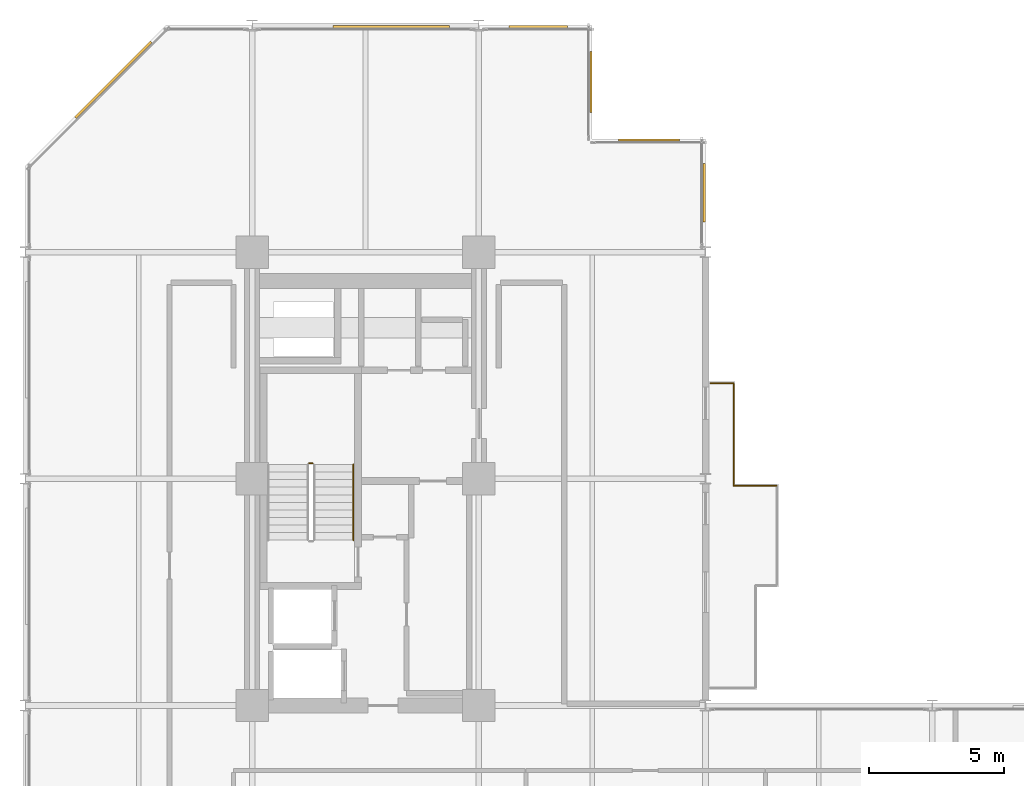
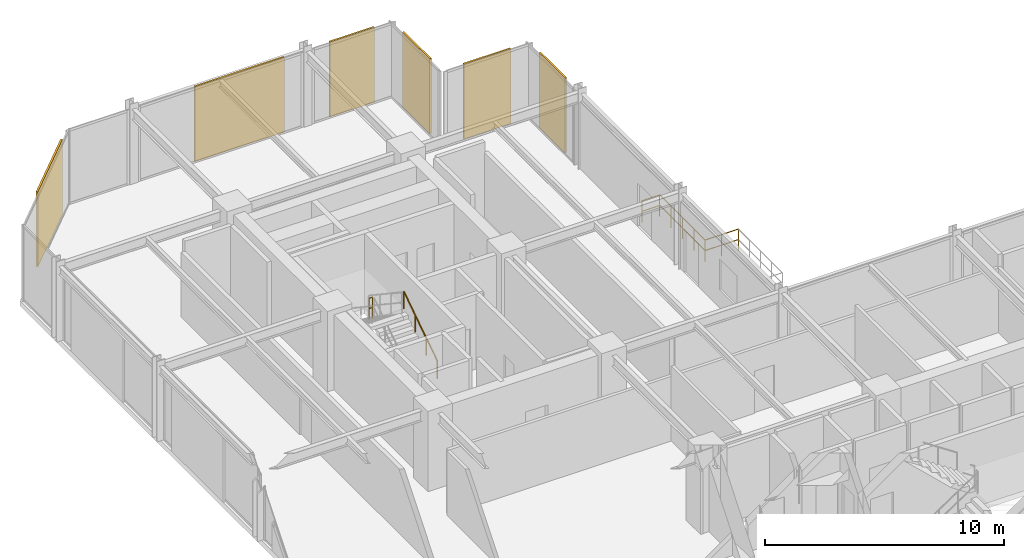
# One storey, part 29 of 29: 6 coverings, 5 railings.
"""IFC4 building model written with IfcOpenShell, lengths in metres."""

from ifc_helpers import new_model, si_unit, direction, frame, origin, origin_2d, place, context, subcontext, project, spatial, rectangle, circle, extrude, material, layer, layer_set, type_object, element, save


model = new_model("IFC4")

# Units and contexts
model_context = context("Model", 3, precision=1e-05, world=origin(), true_north=direction((0.0, 1.0)))
body_context = subcontext(model_context, "Body", "Model", "MODEL_VIEW")
ifc_project = project(units=[si_unit("LENGTHUNIT", "METRE"), si_unit("AREAUNIT", "SQUARE_METRE"), si_unit("VOLUMEUNIT", "CUBIC_METRE"), si_unit("PLANEANGLEUNIT", "RADIAN"), si_unit("MASSUNIT", "GRAM", prefix="KILO")], contexts=[model_context])

# Site, building, storey
site_placement = place(None, origin())
site = spatial("IfcSite", under=ifc_project, at=site_placement, CompositionType="ELEMENT")
building_placement = place(site_placement, origin())
building = spatial("IfcBuilding", under=site, at=building_placement, Name="Nerrivon Quay Data Exchange", CompositionType="ELEMENT")
storey_placement = place(building_placement, frame((0.0, 0.0, 145.89990234375)))
storey = spatial("IfcBuildingStorey", under=building, at=storey_placement, Name="L34", CompositionType="ELEMENT", Elevation=145.89990234375)

# Coverings
ifc_material_1 = material(Name="Architectural terracotta ceramic", Category="masonry")
ifc_layer = layer(ifc_material_1, 0.090087890625)
ifc_layer_set = layer_set([ifc_layer], Name="Architectural terracotta ceramic")
covering_type = type_object("IfcCoveringType", Name="COV-SCR-TERR", PredefinedType="CLADDING", material=ifc_layer_set)
covering_1_placement = place(storey_placement, frame((3.255859375, 48.39208984375, 0.0), z_axis=(0.0, 0.0, 1.0), x_axis=(0.707106781187, 0.707106781187, 0.0)))
element("IfcCovering", 1, at=covering_1_placement, inside=storey, type_object=covering_type, Name="L34 Perforated Terracotta SOLAR SCREEN Cassette", PredefinedType="CLADDING", context=body_context, shape_type="SweptSolid", body=[
    extrude(rectangle(XDim=3.970947265625, YDim=0.090087890625, at=origin_2d()), origin(), (0.0, 0.0, 1.0), 3.824951171875),
])
covering_2_placement = place(storey_placement, frame((13.56005859375, 50.35498046875, 0.0), z_axis=(0.0, 0.0, 1.0), x_axis=(1.0, 0.0, 0.0)))
element("IfcCovering", 2, at=covering_2_placement, inside=storey, type_object=covering_type, Name="L34 Perforated Terracotta SOLAR SCREEN Cassette", PredefinedType="CLADDING", context=body_context, shape_type="SweptSolid", body=[
    extrude(rectangle(XDim=4.320068359375, YDim=0.090087890625, at=origin_2d()), origin(), (0.0, 0.0, 1.0), 3.824951171875),
])
covering_3_placement = place(storey_placement, frame((19.0, 50.35498046875, 0.0), z_axis=(0.0, 0.0, 1.0), x_axis=(1.0, 0.0, 0.0)))
element("IfcCovering", 3, at=covering_3_placement, inside=storey, type_object=covering_type, Name="L34 Perforated Terracotta SOLAR SCREEN Cassette", PredefinedType="CLADDING", context=body_context, shape_type="SweptSolid", body=[
    extrude(rectangle(XDim=2.159912109375, YDim=0.090087890625, at=origin_2d()), origin(), (0.0, 0.0, 1.0), 3.824951171875),
])
for number, where, z_axis, x_axis, name in (
    (4, (20.955078125, 48.300048828125, 0.0), (0.0, 0.0, 1.0), (0.0, -1.0, 0.0), "L34 Perforated Terracotta SOLAR SCREEN Cassette"),
    (5, (23.10009765625, 46.155029296875, 0.0), (0.0, 0.0, 1.0), (1.0, 0.0, 0.0), "L34 Perforated Terracotta SOLAR SCREEN Cassette"),
):
    element("IfcCovering", number, at=place(storey_placement, frame(where, z_axis=z_axis, x_axis=x_axis)), inside=storey, type_object=covering_type, Name=name, PredefinedType="CLADDING", context=body_context, shape_type="SweptSolid", body=[
        extrude(rectangle(XDim=2.26806640625, YDim=0.090087890625, at=origin_2d()), origin(), (0.0, 0.0, 1.0), 3.824951171875),
    ])
covering_4_placement = place(storey_placement, frame((25.155029296875, 44.199951171875, 0.0), z_axis=(0.0, 0.0, 1.0), x_axis=(0.0, -1.0, 0.0)))
element("IfcCovering", 6, at=covering_4_placement, inside=storey, type_object=covering_type, Name="L34 Perforated Terracotta SOLAR SCREEN Cassette", PredefinedType="CLADDING", context=body_context, shape_type="SweptSolid", body=[
    extrude(rectangle(XDim=2.159912109375, YDim=0.090087890625, at=origin_2d()), origin(), (0.0, 0.0, 1.0), 3.824951171875),
])

# Railings
ifc_material_2 = material(Name="Steel Grade C350L0 (350 MPa)", Category="steel")
railing_type_1 = type_object("IfcRailingType", Name="RAIL-GUARD-GR2", PredefinedType="BALUSTRADE", material=ifc_material_2)
railing_1_placement = place(storey_placement, frame((25.3798828125, 37.139892578125, 0.0)))
element("IfcRailing", 7, at=railing_1_placement, inside=storey, type_object=railing_type_1, Name="L34 Verandah Balcony Guard 1.3 1", PredefinedType="BALUSTRADE", context=body_context, shape_type="SweptSolid", body=[
    extrude(circle(Radius=0.02392578125, at=origin_2d()), frame((0.0, 0.0, 1.09619140625), z_axis=(1.0, 0.0, 0.0), x_axis=(0.0, 1.0, 0.0)), (0.0, 0.0, 1.0), 0.860107421875),
    extrude(circle(Radius=0.02392578125, at=origin_2d()), frame((0.0, 0.0, 0.56005859375), z_axis=(1.0, 0.0, 0.0), x_axis=(0.0, 1.0, 0.0)), (0.0, 0.0, 1.0), 0.860107421875),
    extrude(circle(Radius=0.02099609375, at=origin_2d()), origin(), (0.0, 0.0, 1.0), 1.072021484375),
    extrude(circle(Radius=0.02099609375, at=origin_2d()), frame((0.860107421875, 0.0, 0.0)), (0.0, 0.0, 1.0), 1.072021484375),
])
railing_2_placement = place(storey_placement, frame((26.239990234375, 37.139892578125, 0.0)))
element("IfcRailing", 8, at=railing_2_placement, inside=storey, type_object=railing_type_1, Name="L34 Verandah Balcony Guard 1.4 1", PredefinedType="BALUSTRADE", context=body_context, shape_type="SweptSolid", body=[
    extrude(circle(Radius=0.02392578125, at=origin_2d()), frame((0.0, 0.0, 1.09619140625), z_axis=(0.0, -1.0, 0.0), x_axis=(1.0, 0.0, 0.0)), (0.0, 0.0, 1.0), 3.7998046875),
    extrude(circle(Radius=0.02392578125, at=origin_2d()), frame((0.0, 0.0, 0.56005859375), z_axis=(0.0, -1.0, 0.0), x_axis=(1.0, 0.0, 0.0)), (0.0, 0.0, 1.0), 3.7998046875),
    extrude(circle(Radius=0.02099609375, at=origin_2d()), origin(), (0.0, 0.0, 1.0), 1.072021484375),
    extrude(circle(Radius=0.02099609375, at=origin_2d()), frame((0.0, -0.949951171875, 0.0)), (0.0, 0.0, 1.0), 1.072021484375),
    extrude(circle(Radius=0.02099609375, at=origin_2d()), frame((0.0, -1.89990234375, 0.0)), (0.0, 0.0, 1.0), 1.072021484375),
    extrude(circle(Radius=0.02099609375, at=origin_2d()), frame((0.0, -2.849853515625, 0.0)), (0.0, 0.0, 1.0), 1.072021484375),
    extrude(circle(Radius=0.02099609375, at=origin_2d()), frame((0.0, -3.7998046875, 0.0)), (0.0, 0.0, 1.0), 1.072021484375),
])
railing_3_placement = place(storey_placement, frame((26.239990234375, 33.340087890625, 0.0)))
element("IfcRailing", 9, at=railing_3_placement, inside=storey, type_object=railing_type_1, Name="L34 Verandah Balcony Guard 1.5 1", PredefinedType="BALUSTRADE", context=body_context, shape_type="SweptSolid", body=[
    extrude(circle(Radius=0.02392578125, at=origin_2d()), frame((0.0, 0.0, 1.09619140625), z_axis=(1.0, 0.0, 0.0), x_axis=(0.0, 1.0, 0.0)), (0.0, 0.0, 1.0), 1.60009765625),
    extrude(circle(Radius=0.02392578125, at=origin_2d()), frame((0.0, 0.0, 0.56005859375), z_axis=(1.0, 0.0, 0.0), x_axis=(0.0, 1.0, 0.0)), (0.0, 0.0, 1.0), 1.60009765625),
    extrude(circle(Radius=0.02099609375, at=origin_2d()), origin(), (0.0, 0.0, 1.0), 1.072021484375),
    extrude(circle(Radius=0.02099609375, at=origin_2d()), frame((0.800048828125, 0.0, 0.0)), (0.0, 0.0, 1.0), 1.072021484375),
    extrude(circle(Radius=0.02099609375, at=origin_2d()), frame((1.60009765625, 0.0, 0.0)), (0.0, 0.0, 1.0), 1.072021484375),
])
railing_type_2 = type_object("IfcRailingType", Name="RAIL-HAND-HR1", PredefinedType="HANDRAIL", material=ifc_material_2)
railing_4_placement = place(storey_placement, frame((12.14990234375, 31.330078125, 0.1865234375)))
element("IfcRailing", 10, at=railing_4_placement, inside=storey, type_object=railing_type_2, Name="L34 ST01 stair handrail 1", PredefinedType="HANDRAIL", context=body_context, shape_type="SweptSolid", body=[
    extrude(circle(Radius=0.02392578125, at=origin_2d()), frame((0.0, 0.0, 0.8759765625), z_axis=(0.0, 0.832463268671, 0.554080234545), x_axis=(-1.0, 0.0, 0.0)), (0.0, 0.0, 1.0), 3.36328125),
    extrude(circle(Radius=0.02099609375, at=origin_2d()), origin(), (0.0, 0.0, 1.0), 0.851806640625),
    extrude(circle(Radius=0.02099609375, at=origin_2d()), frame((0.0, 0.933349609375, 0.62109375)), (0.0, 0.0, 1.0), 0.851806640625),
    extrude(circle(Radius=0.02099609375, at=origin_2d()), frame((0.0, 1.866455078125, 1.242431640625)), (0.0, 0.0, 1.0), 0.851806640625),
    extrude(circle(Radius=0.02099609375, at=origin_2d()), frame((0.0, 2.7998046875, 1.863525390625)), (0.0, 0.0, 1.0), 0.851806640625),
])
railing_type_3 = type_object("IfcRailingType", Name="RAIL-STAIR-GR1", PredefinedType="BALUSTRADE", material=ifc_material_2)
railing_5_placement = place(storey_placement, frame((10.64990234375, 34.179931640625, 2.050048828125)))
element("IfcRailing", 11, at=railing_5_placement, inside=storey, type_object=railing_type_3, Name="L34 ST01 stair guard 2", PredefinedType="BALUSTRADE", context=body_context, shape_type="SweptSolid", body=[
    extrude(circle(Radius=0.02392578125, at=origin_2d()), frame((0.0, 0.0, 1.076171875), z_axis=(-1.0, 0.0, 0.0), x_axis=(0.0, -1.0, 0.0)), (0.0, 0.0, 1.0), 0.14990234375),
    extrude(circle(Radius=0.02392578125, at=origin_2d()), frame((0.0, 0.0, 0.550048828125), z_axis=(-1.0, 0.0, 0.0), x_axis=(0.0, -1.0, 0.0)), (0.0, 0.0, 1.0), 0.14990234375),
    extrude(circle(Radius=0.02099609375, at=origin_2d()), origin(), (0.0, 0.0, 1.0), 1.052001953125),
    extrude(circle(Radius=0.02099609375, at=origin_2d()), frame((-0.14990234375, 0.0, 0.0)), (0.0, 0.0, 1.0), 1.052001953125),
])

save(model, "model.ifc")
